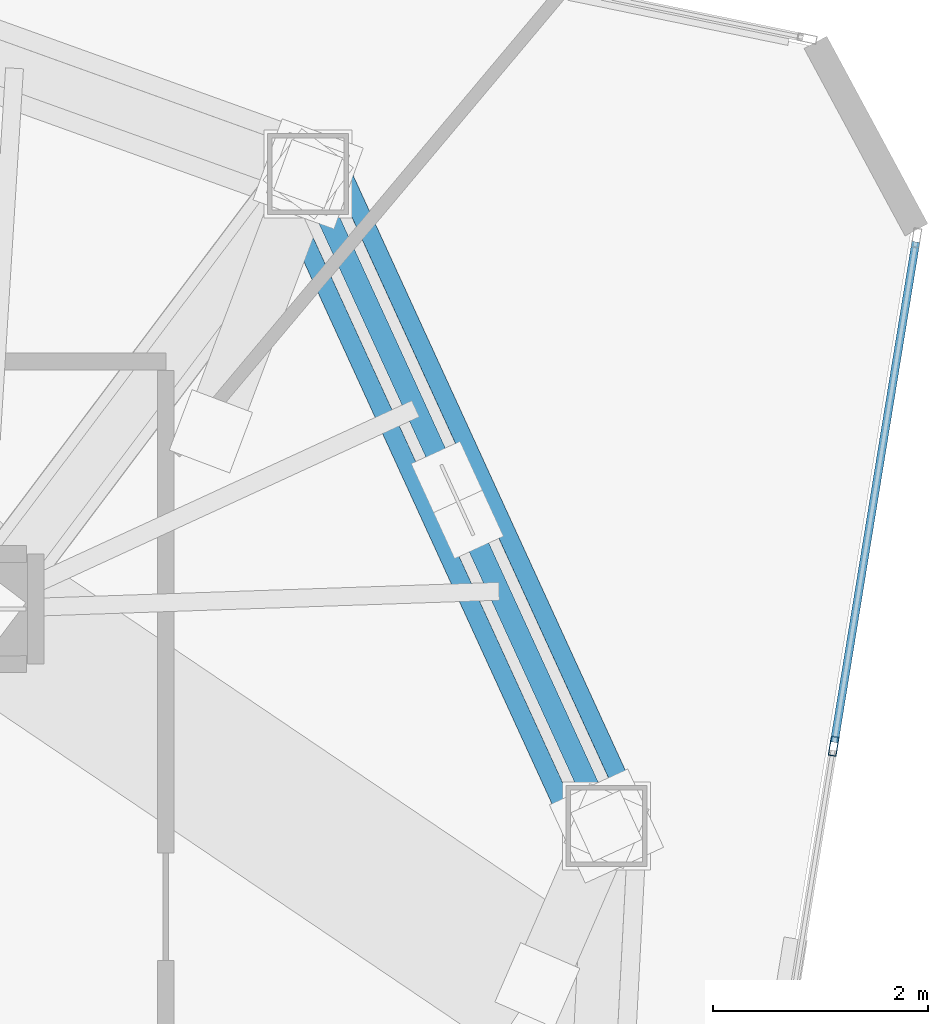
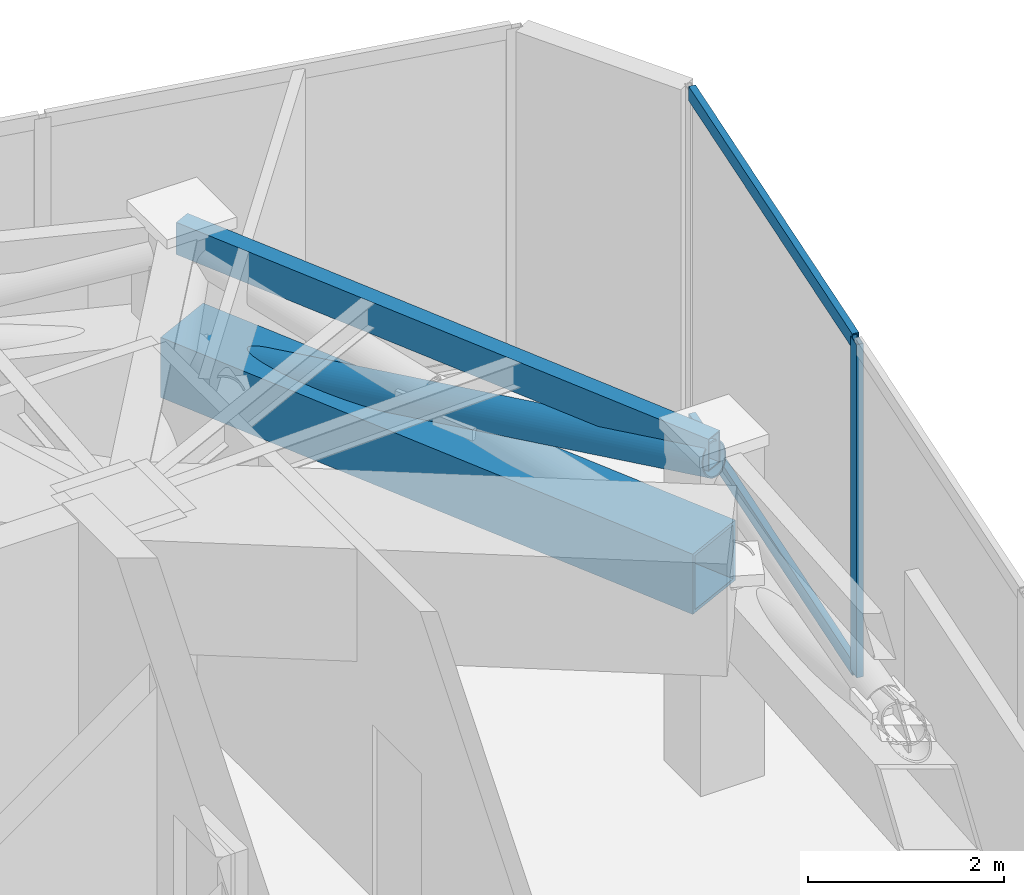
# One storey, part 11 of 19: 5 members, 1 beam, 1 element without a shape of its own.
"""IFC4 building model written with IfcOpenShell, lengths in metres."""

from ifc_helpers import new_model, si_unit, direction, frame, origin, origin_2d, place, context, subcontext, project, spatial, hollow_rectangle, hollow_circle, extrude, source, transform, mapped, material, layer, layer_set, material_profile, profile_set, type_object, type_shapes, element, aggregate, save


model = new_model("IFC4")

# Units and contexts
model_context = context("Model", 3, precision=1e-05, world=origin(), true_north=direction((0.0, 1.0)))
body_context = subcontext(model_context, "Body", "Model", "MODEL_VIEW")
ifc_project = project(units=[si_unit("LENGTHUNIT", "METRE"), si_unit("AREAUNIT", "SQUARE_METRE"), si_unit("VOLUMEUNIT", "CUBIC_METRE"), si_unit("PLANEANGLEUNIT", "RADIAN"), si_unit("MASSUNIT", "GRAM", prefix="KILO")], contexts=[model_context])

# Site, building, storey
site_placement = place(None, origin())
site = spatial("IfcSite", under=ifc_project, at=site_placement, CompositionType="ELEMENT")
building_placement = place(site_placement, origin())
building = spatial("IfcBuilding", under=site, at=building_placement, Name="Talar Marvaseh", CompositionType="ELEMENT")
storey_placement = place(building_placement, frame((0.0, 0.0, 236.199951171875)))
storey = spatial("IfcBuildingStorey", under=building, at=storey_placement, Name="L62", CompositionType="ELEMENT", Elevation=236.199951171875)

# Beam
ifc_material_1 = material(Name="Steel S355", Category="steel")
ifc_material_profile_1 = material_profile(ifc_material_1, hollow_rectangle(XDim=0.199951171875, YDim=0.39990234375, WallThickness=0.013916015625, at=origin_2d()), Name="RHS400x200x14")
ifc_profile_set_1 = profile_set([ifc_material_profile_1], Name="Steel S355")
beam_type = type_object("IfcBeamType", Name="Zone 3 Perimeter Spandrel Beam RHS400x200x14", PredefinedType="SPANDREL", material=ifc_profile_set_1)
beam_placement = place(storey_placement, frame((36.341064453125, 40.94189453125, 3.949951171875), z_axis=(0.416090570719, -0.909323175202, 0.0), x_axis=(0.909323175202, 0.416090570719, 0.0)))
element("IfcBeam", 1, at=beam_placement, inside=storey, type_object=beam_type, Name="L62 Zone 3 Perimeter Spandrel Beam RHS400x200x14", PredefinedType="SPANDREL", context=body_context, shape_type="SweptSolid", body=[
    extrude(hollow_rectangle(XDim=0.199951171875, YDim=0.39990234375, WallThickness=0.013916015625, at=origin_2d()), origin(), (0.0, 0.0, 1.0), 6.661865234375),
])

# Members
ifc_material_2 = material(Name="Steel S460", Category="steel")
ifc_material_profile_2 = material_profile(ifc_material_2, hollow_rectangle(XDim=0.75, YDim=0.75, WallThickness=0.0400390625, at=origin_2d()), Name="BOX750x750x40")
ifc_profile_set_2 = profile_set([ifc_material_profile_2], Name="Steel S460")
member_type_1 = type_object("IfcMemberType", Name="Belt Truss Chord Member BOX750x750x40", PredefinedType="CHORD", material=ifc_profile_set_2)
shared_shape_1 = source(origin(), body_context, "Body", "SweptSolid", [
    extrude(hollow_rectangle(XDim=0.75, YDim=0.75, WallThickness=0.0400390625, at=origin_2d()), origin(), (0.0, 0.0, 1.0), 6.661865234375),
])
type_shapes(member_type_1, [shared_shape_1])
member_1_placement = place(storey_placement, frame((36.341064453125, 40.94189453125, 2.5), z_axis=(0.416090570719, -0.909323175202, 0.0), x_axis=(0.909323175202, 0.416090570719, 0.0)))
element("IfcMember", 2, at=member_1_placement, inside=storey, type_object=member_type_1, Name="L62 Belt Truss Bottom Chord 2", PredefinedType="CHORD", context=body_context, shape_type="MappedRepresentation", body=[
    mapped(shared_shape_1, transform((0.0, 0.0, 0.0), x_axis=(1.0, 0.0, 0.0), y_axis=(0.0, 1.0, 0.0), z_axis=(0.0, 0.0, 1.0), scale=1.0)),
])
ifc_material_profile_3 = material_profile(ifc_material_2, hollow_circle(Radius=0.203125, WallThickness=0.01611328125, at=origin_2d()), Name="CHS406x16")
ifc_profile_set_3 = profile_set([ifc_material_profile_3], Name="Steel S460")
member_type_2 = type_object("IfcMemberType", Name="Belt Truss Diagonal Brace CHS406x16", PredefinedType="BRACE", material=ifc_profile_set_3)
shared_shape_2 = source(origin(), body_context, "Body", "SweptSolid", [
    extrude(hollow_circle(Radius=0.203125, WallThickness=0.01611328125, at=origin_2d()), origin(), (0.0, 0.0, 1.0), 6.79736328125),
])
type_shapes(member_type_2, [shared_shape_2])
member_2_placement = place(storey_placement, frame((36.341064453125, 40.94189453125, 2.5), z_axis=(0.407800579505, -0.891206251475, 0.198620504198), x_axis=(0.909323175202, 0.416090570719, 0.0)))
element("IfcMember", 3, at=member_2_placement, inside=storey, type_object=member_type_2, Name="L62 Belt Truss Continuous Diagonal 2", PredefinedType="BRACE", context=body_context, shape_type="MappedRepresentation", body=[
    mapped(shared_shape_2, transform((0.0, 0.0, 0.0), x_axis=(1.0, 0.0, 0.0), y_axis=(0.0, 1.0, 0.0), z_axis=(0.0, 0.0, 1.0), scale=1.0)),
])

# Curtain wall, members
ifc_material_3 = material(Name="Architectural Aluminium", Category="aluminium")
ifc_layer = layer(ifc_material_3, 0.18994140625)
ifc_layer_set = layer_set([ifc_layer], Name="Architectural Aluminium")
curtain_wall_type = type_object("IfcCurtainWallType", Name="Unitised Solar Atelier Curtain Wall Z3", PredefinedType="NOTDEFINED", material=ifc_layer_set)
curtain_wall_placement = place(storey_placement, origin())
curtain_wall = element("IfcCurtainWall", 4, at=curtain_wall_placement, inside=storey, type_object=curtain_wall_type, Name="L62 Unitised Solar Atelier Curtain Wall Z3", PredefinedType="NOTDEFINED")
ifc_material_profile_4 = material_profile(ifc_material_3, hollow_rectangle(XDim=0.074951171875, YDim=0.179931640625, WallThickness=0.0048828125, at=origin_2d()), Name="RHS180x75x5")
ifc_profile_set_4 = profile_set([ifc_material_profile_4], Name="Architectural Aluminium")
member_type_3 = type_object("IfcMemberType", Name="Unitised Curtain Wall Standard Mullion RHS180x75x5", PredefinedType="MULLION", material=ifc_profile_set_4)
shared_shape_3 = source(origin(), body_context, "Body", "SweptSolid", [
    extrude(hollow_rectangle(XDim=0.074951171875, YDim=0.179931640625, WallThickness=0.0048828125, at=origin_2d()), origin(), (0.0, 0.0, 1.0), 4.150146484375),
])
type_shapes(member_type_3, [shared_shape_3])
member_3_placement = place(storey_placement, frame((41.222900390625, 35.625244140625, 0.0), z_axis=(0.0, 0.0, 1.0), x_axis=(0.986971316934, -0.160896300608, 0.0)))
member_3 = element("IfcMember", 5, at=member_3_placement, type_object=member_type_3, Name="CW-Z3 mullion 2", PredefinedType="MULLION", context=body_context, shape_type="MappedRepresentation", body=[
    mapped(shared_shape_3, transform((0.0, 0.0, 0.0), x_axis=(1.0, 0.0, 0.0), y_axis=(0.0, 1.0, 0.0), z_axis=(0.0, 0.0, 1.0), scale=1.0)),
])
ifc_material_profile_5 = material_profile(ifc_material_3, hollow_rectangle(XDim=0.074951171875, YDim=0.179931640625, WallThickness=0.0048828125, at=origin_2d()), Name="RHS180x75x5")
ifc_profile_set_5 = profile_set([ifc_material_profile_5], Name="Architectural Aluminium")
member_type_4 = type_object("IfcMemberType", Name="Unitised Curtain Wall Transom RHS180x75x5", PredefinedType="USERDEFINED", material=ifc_profile_set_5)
shared_shape_4 = source(origin(), body_context, "Body", "SweptSolid", [
    extrude(hollow_rectangle(XDim=0.074951171875, YDim=0.179931640625, WallThickness=0.0048828125, at=origin_2d()), origin(), (0.0, 0.0, 1.0), 4.70947265625),
])
type_shapes(member_type_4, [shared_shape_4])
member_4_placement = place(storey_placement, frame((41.986572265625, 40.310546875, 0.03759765625), z_axis=(-0.160858813852, -0.986977427303, 0.0), x_axis=(0.986977427303, -0.160858813852, 0.0)))
member_4 = element("IfcMember", 6, at=member_4_placement, type_object=member_type_4, Name="CW-Z3 transom 1.1", ObjectType="TRANSOM", PredefinedType="USERDEFINED", context=body_context, shape_type="MappedRepresentation", body=[
    mapped(shared_shape_4, transform((0.0, 0.0, 0.0), x_axis=(1.0, 0.0, 0.0), y_axis=(0.0, 1.0, 0.0), z_axis=(0.0, 0.0, 1.0), scale=1.0)),
])
member_5_placement = place(storey_placement, frame((41.986572265625, 40.310546875, 4.112548828125), z_axis=(-0.160858813852, -0.986977427303, 0.0), x_axis=(0.986977427303, -0.160858813852, 0.0)))
member_5 = element("IfcMember", 7, at=member_5_placement, type_object=member_type_4, Name="CW-Z3 transom 1.2", ObjectType="TRANSOM", PredefinedType="USERDEFINED", context=body_context, shape_type="MappedRepresentation", body=[
    mapped(shared_shape_4, transform((0.0, 0.0, 0.0), x_axis=(1.0, 0.0, 0.0), y_axis=(0.0, 1.0, 0.0), z_axis=(0.0, 0.0, 1.0), scale=1.0)),
])
aggregate(curtain_wall, [member_3, member_4, member_5])

save(model, "model.ifc")
